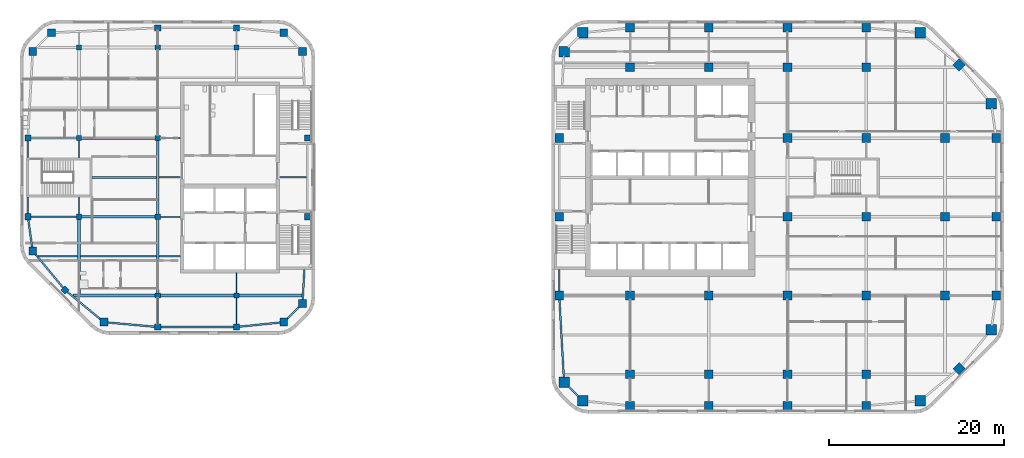
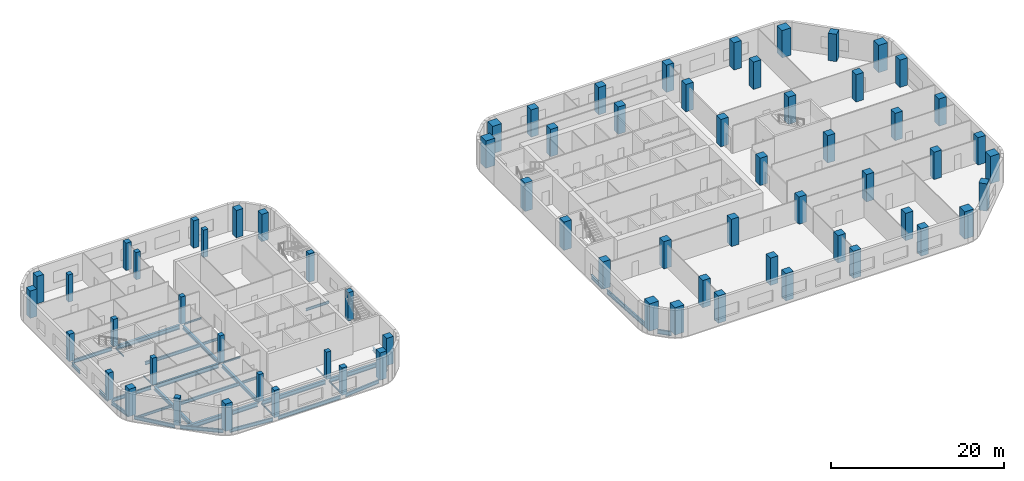
# One storey, part 1 of 14: 69 columns, 36 beams.
"""IFC4 building model written with IfcOpenShell, lengths in metres."""

from ifc_helpers import new_model, si_unit, direction, frame, origin, origin_2d, place, context, subcontext, project, spatial, rectangle, i_section, extrude, material, material_profile, profile_set, type_object, element, save


model = new_model("IFC4")

# Units and contexts
model_context = context("Model", 3, precision=1e-05, world=origin(), true_north=direction((0.0, 1.0)))
body_context = subcontext(model_context, "Body", "Model", "MODEL_VIEW")
ifc_project = project(units=[si_unit("LENGTHUNIT", "METRE"), si_unit("AREAUNIT", "SQUARE_METRE"), si_unit("VOLUMEUNIT", "CUBIC_METRE"), si_unit("PLANEANGLEUNIT", "RADIAN"), si_unit("MASSUNIT", "GRAM", prefix="KILO")], contexts=[model_context])

# Site, building, storey
site_placement = place(None, origin())
site = spatial("IfcSite", under=ifc_project, at=site_placement, CompositionType="ELEMENT")
building_placement = place(site_placement, origin())
building = spatial("IfcBuilding", under=site, at=building_placement, Name="Cinnabar Reach Civic Tower", CompositionType="ELEMENT")
storey_placement = place(building_placement, frame((0.0, 0.0, 116.0)))
storey = spatial("IfcBuildingStorey", under=building, at=storey_placement, Name="L27", CompositionType="ELEMENT", Elevation=116.0)

# Columns
ifc_material_1 = material(Name="Concrete C70", Category="concrete")
ifc_material_profile_1 = material_profile(ifc_material_1, rectangle(XDim=1.0, YDim=1.0, at=origin_2d()), Name="RC1000")
ifc_profile_set_1 = profile_set([ifc_material_profile_1], Name="Concrete C70")
column_type_1 = type_object("IfcColumnType", Name="RC1000 column R 240", PredefinedType="COLUMN", material=ifc_profile_set_1)
for number, where, z_axis, x_axis, name in (
    (1, (9.0, 5.4, 0.0), (0.0, 0.0, 1.0), (1.0, 0.0, 0.0), "Column T1-Z2-F0-1"),
    (2, (18.0, 5.4, 0.0), (0.0, 0.0, 1.0), (1.0, 0.0, 0.0), "Column T1-Z2-F0-2"),
    (3, (27.0, 5.4, 0.0), (0.0, 0.0, 1.0), (1.0, 0.0, 0.0), "Column T1-Z2-F0-3"),
    (4, (36.0, 5.4, 0.0), (0.0, 0.0, 1.0), (1.0, 0.0, 0.0), "Column T1-Z2-F0-4"),
    (5, (46.6136, 9.6364, 0.0), (0.0, 0.0, 1.0), (0.707106781187, 0.707106781187, 0.0), "Column T1-Z2-F1-M"),
    (6, (50.85, 18.0, 0.0), (0.0, 0.0, 1.0), (1.0, 0.0, 0.0), "Column T1-Z2-F2-2"),
    (7, (50.85, 27.0, 0.0), (0.0, 0.0, 1.0), (1.0, 0.0, 0.0), "Column T1-Z2-F2-3"),
    (8, (50.85, 36.0, 0.0), (0.0, 0.0, 1.0), (1.0, 0.0, 0.0), "Column T1-Z2-F2-4"),
    (9, (46.6136, 44.3636, 0.0), (0.0, 0.0, 1.0), (0.707106781187, 0.707106781187, 0.0), "Column T1-Z2-F3-M"),
    (10, (9.0, 48.6, 0.0), (0.0, 0.0, 1.0), (1.0, 0.0, 0.0), "Column T1-Z2-F4-1"),
    (11, (18.0, 48.6, 0.0), (0.0, 0.0, 1.0), (1.0, 0.0, 0.0), "Column T1-Z2-F4-2"),
    (12, (27.0, 48.6, 0.0), (0.0, 0.0, 1.0), (1.0, 0.0, 0.0), "Column T1-Z2-F4-3"),
    (13, (36.0, 48.6, 0.0), (0.0, 0.0, 1.0), (1.0, 0.0, 0.0), "Column T1-Z2-F4-4"),
    (14, (0.9, 18.0, 0.0), (0.0, 0.0, 1.0), (1.0, 0.0, 0.0), "Column T1-Z2-F6-2"),
):
    element("IfcColumn", number, at=place(storey_placement, frame(where, z_axis=z_axis, x_axis=x_axis)), inside=storey, type_object=column_type_1, Name=name, PredefinedType="COLUMN", context=body_context, shape_type="SweptSolid", body=[
        extrude(rectangle(XDim=1.0, YDim=1.0, at=origin_2d()), origin(), (0.0, 0.0, 1.0), 3.85),
    ])
for number, where, z_axis, x_axis, name in (
    (15, (0.9, 27.0, 0.0), (0.0, 0.0, 1.0), (1.0, 0.0, 0.0), "Column T1-Z2-F6-3"),
    (16, (0.9, 36.0, 0.0), (0.0, 0.0, 1.0), (1.0, 0.0, 0.0), "Column T1-Z2-F6-4"),
):
    element("IfcColumn", number, at=place(storey_placement, frame(where, z_axis=z_axis, x_axis=x_axis)), inside=storey, type_object=column_type_1, Name=name, PredefinedType="COLUMN", context=body_context, shape_type="SweptSolid", body=[
        extrude(rectangle(XDim=1.0, YDim=1.0, at=origin_2d()), origin(), (0.0, 0.0, 1.0), 4.0),
    ])
for number, where, z_axis, x_axis, name in (
    (17, (9.0, 9.0, 0.0), (0.0, 0.0, 1.0), (1.0, 0.0, 0.0), "Column T1-Z2-I9_9"),
    (18, (9.0, 18.0, 0.0), (0.0, 0.0, 1.0), (1.0, 0.0, 0.0), "Column T1-Z2-I9_18"),
    (19, (9.0, 44.1, 0.0), (0.0, 0.0, 1.0), (1.0, 0.0, 0.0), "Column T1-Z2-I9_45"),
    (20, (18.0, 9.0, 0.0), (0.0, 0.0, 1.0), (1.0, 0.0, 0.0), "Column T1-Z2-I18_9"),
    (21, (18.0, 18.0, 0.0), (0.0, 0.0, 1.0), (1.0, 0.0, 0.0), "Column T1-Z2-I18_18"),
    (22, (18.0, 44.1, 0.0), (0.0, 0.0, 1.0), (1.0, 0.0, 0.0), "Column T1-Z2-I18_45"),
    (23, (27.0, 9.0, 0.0), (0.0, 0.0, 1.0), (1.0, 0.0, 0.0), "Column T1-Z2-I27_9"),
    (24, (27.0, 18.0, 0.0), (0.0, 0.0, 1.0), (1.0, 0.0, 0.0), "Column T1-Z2-I27_18"),
    (25, (27.0, 27.0, 0.0), (0.0, 0.0, 1.0), (1.0, 0.0, 0.0), "Column T1-Z2-I27_27"),
    (26, (27.0, 36.0, 0.0), (0.0, 0.0, 1.0), (1.0, 0.0, 0.0), "Column T1-Z2-I27_36"),
    (27, (27.0, 44.1, 0.0), (0.0, 0.0, 1.0), (1.0, 0.0, 0.0), "Column T1-Z2-I27_45"),
    (28, (36.0, 9.0, 0.0), (0.0, 0.0, 1.0), (1.0, 0.0, 0.0), "Column T1-Z2-I36_9"),
    (29, (36.0, 18.0, 0.0), (0.0, 0.0, 1.0), (1.0, 0.0, 0.0), "Column T1-Z2-I36_18"),
    (30, (36.0, 27.0, 0.0), (0.0, 0.0, 1.0), (1.0, 0.0, 0.0), "Column T1-Z2-I36_27"),
    (31, (36.0, 36.0, 0.0), (0.0, 0.0, 1.0), (1.0, 0.0, 0.0), "Column T1-Z2-I36_36"),
    (32, (36.0, 44.1, 0.0), (0.0, 0.0, 1.0), (1.0, 0.0, 0.0), "Column T1-Z2-I36_45"),
    (33, (45.0, 18.0, 0.0), (0.0, 0.0, 1.0), (1.0, 0.0, 0.0), "Column T1-Z2-I45_18"),
    (34, (45.0, 27.0, 0.0), (0.0, 0.0, 1.0), (1.0, 0.0, 0.0), "Column T1-Z2-I45_27"),
    (35, (45.0, 36.0, 0.0), (0.0, 0.0, 1.0), (1.0, 0.0, 0.0), "Column T1-Z2-I45_36"),
):
    element("IfcColumn", number, at=place(storey_placement, frame(where, z_axis=z_axis, x_axis=x_axis)), inside=storey, type_object=column_type_1, Name=name, PredefinedType="COLUMN", context=body_context, shape_type="SweptSolid", body=[
        extrude(rectangle(XDim=1.0, YDim=1.0, at=origin_2d()), origin(), (0.0, 0.0, 1.0), 3.85),
    ])
ifc_material_2 = material(Name="Concrete C80", Category="concrete")
ifc_material_profile_2 = material_profile(ifc_material_2, rectangle(XDim=1.2, YDim=1.2, at=origin_2d()), Name="RC1200")
ifc_profile_set_2 = profile_set([ifc_material_profile_2], Name="Concrete C80")
column_type_2 = type_object("IfcColumnType", Name="RC1200 column R 240", PredefinedType="COLUMN", material=ifc_profile_set_2)
for number, where, z_axis, x_axis, name in (
    (36, (3.6019, 5.9531, 0.0), (0.0, 0.0, 1.0), (1.0, 0.0, 0.0), "Column T1-Z2-CC0"),
    (37, (42.1481, 5.9531, 0.0), (0.0, 0.0, 1.0), (1.0, 0.0, 0.0), "Column T1-Z2-CC1"),
    (38, (50.2969, 14.1019, 0.0), (0.0, 0.0, 1.0), (1.0, 0.0, 0.0), "Column T1-Z2-CC2"),
    (39, (50.2969, 39.8981, 0.0), (0.0, 0.0, 1.0), (1.0, 0.0, 0.0), "Column T1-Z2-CC3"),
    (40, (42.1481, 48.0469, 0.0), (0.0, 0.0, 1.0), (1.0, 0.0, 0.0), "Column T1-Z2-CC4"),
    (41, (3.6019, 48.0469, 0.0), (0.0, 0.0, 1.0), (1.0, 0.0, 0.0), "Column T1-Z2-CC5"),
    (42, (1.4531, 45.8981, 0.0), (0.0, 0.0, 1.0), (1.0, 0.0, 0.0), "Column T1-Z2-CC6"),
    (43, (1.4531, 8.1019, 0.0), (0.0, 0.0, 1.0), (1.0, 0.0, 0.0), "Column T1-Z2-CC7"),
):
    element("IfcColumn", number, at=place(storey_placement, frame(where, z_axis=z_axis, x_axis=x_axis)), inside=storey, type_object=column_type_2, Name=name, PredefinedType="COLUMN", context=body_context, shape_type="SweptSolid", body=[
        extrude(rectangle(XDim=1.2, YDim=1.2, at=origin_2d()), origin(), (0.0, 0.0, 1.0), 3.85),
    ])
ifc_material_3 = material(Name="Concrete C60", Category="concrete")
ifc_material_profile_3 = material_profile(ifc_material_3, rectangle(XDim=0.6, YDim=0.6, at=origin_2d()), Name="RC600")
ifc_profile_set_3 = profile_set([ifc_material_profile_3], Name="Concrete C60")
column_type_3 = type_object("IfcColumnType", Name="RC600 column R 180", PredefinedType="COLUMN", material=ifc_profile_set_3)
for number, where, z_axis, x_axis, name in (
    (44, (-54.0, 27.0, 0.0), (0.0, 0.0, 1.0), (1.0, 0.0, 0.0), "Column T2-Z3-I-54_27"),
    (45, (-54.0, 36.0, 0.0), (0.0, 0.0, 1.0), (1.0, 0.0, 0.0), "Column T2-Z3-I-54_36"),
    (46, (-54.0, 46.35, 0.0), (0.0, 0.0, 1.0), (1.0, 0.0, 0.0), "Column T2-Z3-I-54_45"),
    (47, (-45.0, 18.0, 0.0), (0.0, 0.0, 1.0), (1.0, 0.0, 0.0), "Column T2-Z3-I-45_18"),
    (48, (-45.0, 27.0, 0.0), (0.0, 0.0, 1.0), (1.0, 0.0, 0.0), "Column T2-Z3-I-45_27"),
    (49, (-45.0, 36.0, 0.0), (0.0, 0.0, 1.0), (1.0, 0.0, 0.0), "Column T2-Z3-I-45_36"),
    (50, (-45.0, 46.35, 0.0), (0.0, 0.0, 1.0), (1.0, 0.0, 0.0), "Column T2-Z3-I-45_45"),
    (51, (-36.0, 18.0, 0.0), (0.0, 0.0, 1.0), (1.0, 0.0, 0.0), "Column T2-Z3-I-36_18"),
    (52, (-36.0, 46.35, 0.0), (0.0, 0.0, 1.0), (1.0, 0.0, 0.0), "Column T2-Z3-I-36_45"),
):
    element("IfcColumn", number, at=place(storey_placement, frame(where, z_axis=z_axis, x_axis=x_axis)), inside=storey, type_object=column_type_3, Name=name, PredefinedType="COLUMN", context=body_context, shape_type="SweptSolid", body=[
        extrude(rectangle(XDim=0.6, YDim=0.6, at=origin_2d()), origin(), (0.0, 0.0, 1.0), 3.85),
    ])
ifc_material_profile_4 = material_profile(ifc_material_3, rectangle(XDim=0.7, YDim=0.7, at=origin_2d()), Name="RC700")
ifc_profile_set_4 = profile_set([ifc_material_profile_4], Name="Concrete C60")
column_type_4 = type_object("IfcColumnType", Name="RC700 column R 180", PredefinedType="COLUMN", material=ifc_profile_set_4)
for number, where, z_axis, x_axis, name in (
    (53, (-45.0, 14.4, 0.0), (0.0, 0.0, 1.0), (1.0, 0.0, 0.0), "Column T2-Z3-F0--5"),
    (54, (-36.0, 14.4, 0.0), (0.0, 0.0, 1.0), (1.0, 0.0, 0.0), "Column T2-Z3-F0--4"),
):
    element("IfcColumn", number, at=place(storey_placement, frame(where, z_axis=z_axis, x_axis=x_axis)), inside=storey, type_object=column_type_4, Name=name, PredefinedType="COLUMN", context=body_context, shape_type="SweptSolid", body=[
        extrude(rectangle(XDim=0.7, YDim=0.7, at=origin_2d()), origin(), (0.0, 0.0, 1.0), 3.85),
    ])
for number, where, z_axis, x_axis, name in (
    (55, (-27.9, 27.0, 0.0), (0.0, 0.0, 1.0), (1.0, 0.0, 0.0), "Column T2-Z3-F2-3"),
    (56, (-27.9, 36.0, 0.0), (0.0, 0.0, 1.0), (1.0, 0.0, 0.0), "Column T2-Z3-F2-4"),
):
    element("IfcColumn", number, at=place(storey_placement, frame(where, z_axis=z_axis, x_axis=x_axis)), inside=storey, type_object=column_type_4, Name=name, PredefinedType="COLUMN", context=body_context, shape_type="SweptSolid", body=[
        extrude(rectangle(XDim=0.7, YDim=0.7, at=origin_2d()), origin(), (0.0, 0.0, 1.0), 4.0),
    ])
for number, where, z_axis, x_axis, name in (
    (57, (-45.0, 48.6, 0.0), (0.0, 0.0, 1.0), (1.0, 0.0, 0.0), "Column T2-Z3-F4--5"),
    (58, (-36.0, 48.6, 0.0), (0.0, 0.0, 1.0), (1.0, 0.0, 0.0), "Column T2-Z3-F4--4"),
    (59, (-59.85, 27.0, 0.0), (0.0, 0.0, 1.0), (1.0, 0.0, 0.0), "Column T2-Z3-F6-3"),
    (60, (-59.85, 36.0, 0.0), (0.0, 0.0, 1.0), (1.0, 0.0, 0.0), "Column T2-Z3-F6-4"),
    (61, (-55.6136, 18.6364, 0.0), (0.0, 0.0, 1.0), (0.707106781187, 0.707106781187, 0.0), "Column T2-Z3-F7-M"),
):
    element("IfcColumn", number, at=place(storey_placement, frame(where, z_axis=z_axis, x_axis=x_axis)), inside=storey, type_object=column_type_4, Name=name, PredefinedType="COLUMN", context=body_context, shape_type="SweptSolid", body=[
        extrude(rectangle(XDim=0.7, YDim=0.7, at=origin_2d()), origin(), (0.0, 0.0, 1.0), 3.85),
    ])
ifc_material_profile_5 = material_profile(ifc_material_1, rectangle(XDim=0.9, YDim=0.9, at=origin_2d()), Name="RC900")
ifc_profile_set_5 = profile_set([ifc_material_profile_5], Name="Concrete C70")
column_type_5 = type_object("IfcColumnType", Name="RC900 column R 180", PredefinedType="COLUMN", material=ifc_profile_set_5)
for number, where, z_axis, x_axis, name in (
    (62, (-51.1481, 14.9531, 0.0), (0.0, 0.0, 1.0), (1.0, 0.0, 0.0), "Column T2-Z3-CC0"),
    (63, (-30.6019, 14.9531, 0.0), (0.0, 0.0, 1.0), (1.0, 0.0, 0.0), "Column T2-Z3-CC1"),
    (64, (-28.4531, 17.1019, 0.0), (0.0, 0.0, 1.0), (1.0, 0.0, 0.0), "Column T2-Z3-CC2"),
    (65, (-28.4531, 45.8981, 0.0), (0.0, 0.0, 1.0), (1.0, 0.0, 0.0), "Column T2-Z3-CC3"),
    (66, (-30.6019, 48.0469, 0.0), (0.0, 0.0, 1.0), (1.0, 0.0, 0.0), "Column T2-Z3-CC4"),
    (67, (-57.1481, 48.0469, 0.0), (0.0, 0.0, 1.0), (1.0, 0.0, 0.0), "Column T2-Z3-CC5"),
    (68, (-59.2969, 45.8981, 0.0), (0.0, 0.0, 1.0), (1.0, 0.0, 0.0), "Column T2-Z3-CC6"),
    (69, (-59.2969, 23.1019, 0.0), (0.0, 0.0, 1.0), (1.0, 0.0, 0.0), "Column T2-Z3-CC7"),
):
    element("IfcColumn", number, at=place(storey_placement, frame(where, z_axis=z_axis, x_axis=x_axis)), inside=storey, type_object=column_type_5, Name=name, PredefinedType="COLUMN", context=body_context, shape_type="SweptSolid", body=[
        extrude(rectangle(XDim=0.9, YDim=0.9, at=origin_2d()), origin(), (0.0, 0.0, 1.0), 3.85),
    ])

# Beams
ifc_material_4 = material(Name="Steel Q355B", Category="steel")
ifc_material_profile_6 = material_profile(ifc_material_4, i_section(OverallWidth=0.3, OverallDepth=0.488, WebThickness=0.011, FlangeThickness=0.018, FilletRadius=0.016, at=origin_2d()), Name="HM488x300x11x18")
ifc_profile_set_6 = profile_set([ifc_material_profile_6], Name="Steel Q355B")
beam_type_1 = type_object("IfcBeamType", Name="HM488x300x11x18 beam R 120", PredefinedType="BEAM", material=ifc_profile_set_6)
beam_1_placement = place(storey_placement, frame((-54.0, 18.152, -0.394), z_axis=(0.0, 1.0, 0.0), x_axis=(-1.0, 0.0, 0.0)))
element("IfcBeam", 70, at=beam_1_placement, inside=storey, type_object=beam_type_1, Name="Girder T2 L27 1", PredefinedType="BEAM", context=body_context, shape_type="SweptSolid", body=[
    extrude(i_section(OverallWidth=0.3, OverallDepth=0.488, WebThickness=0.011, FlangeThickness=0.018, FilletRadius=0.016, at=origin_2d()), origin(), (0.0, 0.0, 1.0), 8.546),
])
for number, where, z_axis, x_axis, name in (
    (71, (-45.0, 18.302, -0.394), (0.0, 1.0, 0.0), (-1.0, 0.0, 0.0), "Girder T2 L27 7"),
    (72, (-45.0, 27.302, -0.394), (0.0, 1.0, 0.0), (-1.0, 0.0, 0.0), "Girder T2 L27 8"),
):
    element("IfcBeam", number, at=place(storey_placement, frame(where, z_axis=z_axis, x_axis=x_axis)), inside=storey, type_object=beam_type_1, Name=name, PredefinedType="BEAM", context=body_context, shape_type="SweptSolid", body=[
        extrude(i_section(OverallWidth=0.3, OverallDepth=0.488, WebThickness=0.011, FlangeThickness=0.018, FilletRadius=0.016, at=origin_2d()), origin(), (0.0, 0.0, 1.0), 8.396),
    ])
ifc_material_profile_7 = material_profile(ifc_material_4, i_section(OverallWidth=0.3, OverallDepth=0.588, WebThickness=0.012, FlangeThickness=0.02, FilletRadius=0.016, at=origin_2d()), Name="HM588x300x12x20")
ifc_profile_set_7 = profile_set([ifc_material_profile_7], Name="Steel Q355B")
beam_type_2 = type_object("IfcBeamType", Name="HM588x300x12x20 beam R 120", PredefinedType="BEAM", material=ifc_profile_set_7)
beam_2_placement = place(storey_placement, frame((-54.6818, 18.0, -0.444), z_axis=(1.0, 0.0, 0.0), x_axis=(0.0, 1.0, 0.0)))
element("IfcBeam", 73, at=beam_2_placement, inside=storey, type_object=beam_type_2, Name="Girder T2 L27 1", PredefinedType="BEAM", context=body_context, shape_type="SweptSolid", body=[
    extrude(i_section(OverallWidth=0.3, OverallDepth=0.588, WebThickness=0.012, FlangeThickness=0.02, FilletRadius=0.016, at=origin_2d()), origin(), (0.0, 0.0, 1.0), 9.3798),
])
beam_3_placement = place(storey_placement, frame((-44.698, 18.0, -0.444), z_axis=(1.0, 0.0, 0.0), x_axis=(0.0, 1.0, 0.0)))
element("IfcBeam", 74, at=beam_3_placement, inside=storey, type_object=beam_type_2, Name="Girder T2 L27 2", PredefinedType="BEAM", context=body_context, shape_type="SweptSolid", body=[
    extrude(i_section(OverallWidth=0.3, OverallDepth=0.588, WebThickness=0.012, FlangeThickness=0.02, FilletRadius=0.016, at=origin_2d()), origin(), (0.0, 0.0, 1.0), 8.396),
])
beam_4_placement = place(storey_placement, frame((-35.698, 18.0, -0.444), z_axis=(1.0, 0.0, 0.0), x_axis=(0.0, 1.0, 0.0)))
element("IfcBeam", 75, at=beam_4_placement, inside=storey, type_object=beam_type_2, Name="Girder T2 L27 3", PredefinedType="BEAM", context=body_context, shape_type="SweptSolid", body=[
    extrude(i_section(OverallWidth=0.3, OverallDepth=0.588, WebThickness=0.012, FlangeThickness=0.02, FilletRadius=0.016, at=origin_2d()), origin(), (0.0, 0.0, 1.0), 7.1929),
])
for number, where, z_axis, x_axis, name in (
    (76, (-53.698, 27.0, -0.444), (1.0, 0.0, 0.0), (0.0, 1.0, 0.0), "Girder T2 L27 5"),
    (77, (-53.698, 36.0, -0.444), (1.0, 0.0, 0.0), (0.0, 1.0, 0.0), "Girder T2 L27 8"),
):
    element("IfcBeam", number, at=place(storey_placement, frame(where, z_axis=z_axis, x_axis=x_axis)), inside=storey, type_object=beam_type_2, Name=name, PredefinedType="BEAM", context=body_context, shape_type="SweptSolid", body=[
        extrude(i_section(OverallWidth=0.3, OverallDepth=0.588, WebThickness=0.012, FlangeThickness=0.02, FilletRadius=0.016, at=origin_2d()), origin(), (0.0, 0.0, 1.0), 8.396),
    ])
ifc_material_profile_8 = material_profile(ifc_material_4, i_section(OverallWidth=0.099, OverallDepth=0.198, WebThickness=0.0045, FlangeThickness=0.007, FilletRadius=0.013, at=origin_2d()), Name="HN200x100x5.5x8")
ifc_profile_set_8 = profile_set([ifc_material_profile_8], Name="Steel Q355B")
beam_type_3 = type_object("IfcBeamType", Name="HN200x100x5.5x8 beam R 120", PredefinedType="BEAM", material=ifc_profile_set_8)
for number, where, z_axis, x_axis, name in (
    (78, (-54.0, 27.302, -0.249), (0.0, 1.0, 0.0), (-1.0, 0.0, 0.0), "Girder T2 L27 2"),
    (79, (-54.0, 33.752, -0.249), (0.0, 1.0, 0.0), (-1.0, 0.0, 0.0), "Girder T2 L27 3"),
):
    element("IfcBeam", number, at=place(storey_placement, frame(where, z_axis=z_axis, x_axis=x_axis)), inside=storey, type_object=beam_type_3, Name=name, PredefinedType="BEAM", context=body_context, shape_type="SweptSolid", body=[
        extrude(i_section(OverallWidth=0.099, OverallDepth=0.198, WebThickness=0.0045, FlangeThickness=0.007, FilletRadius=0.013, at=origin_2d()), origin(), (0.0, 0.0, 1.0), 1.946),
    ])
for number, where, z_axis, x_axis, name in (
    (80, (-45.0, 14.752, -0.249), (0.0, 1.0, 0.0), (-1.0, 0.0, 0.0), "Girder T2 L27 6"),
    (81, (-36.0, 14.752, -0.249), (0.0, 1.0, 0.0), (-1.0, 0.0, 0.0), "Girder T2 L27 11"),
):
    element("IfcBeam", number, at=place(storey_placement, frame(where, z_axis=z_axis, x_axis=x_axis)), inside=storey, type_object=beam_type_3, Name=name, PredefinedType="BEAM", context=body_context, shape_type="SweptSolid", body=[
        extrude(i_section(OverallWidth=0.099, OverallDepth=0.198, WebThickness=0.0045, FlangeThickness=0.007, FilletRadius=0.013, at=origin_2d()), origin(), (0.0, 0.0, 1.0), 2.946),
    ])
beam_5_placement = place(storey_placement, frame((-36.0, 18.302, -0.249), z_axis=(0.0, 1.0, 0.0), x_axis=(-1.0, 0.0, 0.0)))
element("IfcBeam", 82, at=beam_5_placement, inside=storey, type_object=beam_type_3, Name="Girder T2 L27 12", PredefinedType="BEAM", context=body_context, shape_type="SweptSolid", body=[
    extrude(i_section(OverallWidth=0.099, OverallDepth=0.198, WebThickness=0.0045, FlangeThickness=0.007, FilletRadius=0.013, at=origin_2d()), origin(), (0.0, 0.0, 1.0), 2.296),
])
ifc_material_profile_9 = material_profile(ifc_material_4, i_section(OverallWidth=0.124, OverallDepth=0.248, WebThickness=0.005, FlangeThickness=0.008, FilletRadius=0.013, at=origin_2d()), Name="HN250x125x6x9")
ifc_profile_set_9 = profile_set([ifc_material_profile_9], Name="Steel Q355B")
beam_type_4 = type_object("IfcBeamType", Name="HN250x125x6x9 beam R 120", PredefinedType="BEAM", material=ifc_profile_set_9)
for number, where, z_axis, x_axis, name in (
    (83, (-44.698, 27.0, -0.274), (1.0, 0.0, 0.0), (0.0, 1.0, 0.0), "Girder T2 L27 6"),
    (84, (-44.698, 36.0, -0.274), (1.0, 0.0, 0.0), (0.0, 1.0, 0.0), "Girder T2 L27 9"),
):
    element("IfcBeam", number, at=place(storey_placement, frame(where, z_axis=z_axis, x_axis=x_axis)), inside=storey, type_object=beam_type_4, Name=name, PredefinedType="BEAM", context=body_context, shape_type="SweptSolid", body=[
        extrude(i_section(OverallWidth=0.124, OverallDepth=0.248, WebThickness=0.005, FlangeThickness=0.008, FilletRadius=0.013, at=origin_2d()), origin(), (0.0, 0.0, 1.0), 2.296),
    ])
ifc_material_profile_10 = material_profile(ifc_material_4, i_section(OverallWidth=0.175, OverallDepth=0.35, WebThickness=0.007, FlangeThickness=0.011, FilletRadius=0.013, at=origin_2d()), Name="HN350x175x7x11")
ifc_profile_set_10 = profile_set([ifc_material_profile_10], Name="Steel Q355B")
beam_type_5 = type_object("IfcBeamType", Name="HN350x175x7x11 beam R 120", PredefinedType="BEAM", material=ifc_profile_set_10)
beam_6_placement = place(storey_placement, frame((-58.6682, 22.5, -0.325), z_axis=(1.0, 0.0, 0.0), x_axis=(0.0, 1.0, 0.0)))
element("IfcBeam", 85, at=beam_6_placement, inside=storey, type_object=beam_type_5, Name="Secondary beam T2 L27 1", PredefinedType="BEAM", context=body_context, shape_type="SweptSolid", body=[
    extrude(i_section(OverallWidth=0.175, OverallDepth=0.35, WebThickness=0.007, FlangeThickness=0.011, FilletRadius=0.013, at=origin_2d()), origin(), (0.0, 0.0, 1.0), 4.5162),
])
for number, where, z_axis, x_axis, name in (
    (86, (-44.848, 22.5, -0.325), (1.0, 0.0, 0.0), (0.0, 1.0, 0.0), "Secondary beam T2 L27 3"),
    (87, (-44.848, 31.5, -0.325), (1.0, 0.0, 0.0), (0.0, 1.0, 0.0), "Secondary beam T2 L27 5"),
):
    element("IfcBeam", number, at=place(storey_placement, frame(where, z_axis=z_axis, x_axis=x_axis)), inside=storey, type_object=beam_type_5, Name=name, PredefinedType="BEAM", context=body_context, shape_type="SweptSolid", body=[
        extrude(i_section(OverallWidth=0.175, OverallDepth=0.35, WebThickness=0.007, FlangeThickness=0.011, FilletRadius=0.013, at=origin_2d()), origin(), (0.0, 0.0, 1.0), 2.446),
    ])
beam_7_placement = place(storey_placement, frame((-31.098, 31.5, -0.325), z_axis=(1.0, 0.0, 0.0), x_axis=(0.0, 1.0, 0.0)))
element("IfcBeam", 88, at=beam_7_placement, inside=storey, type_object=beam_type_5, Name="Secondary beam T2 L27 6", PredefinedType="BEAM", context=body_context, shape_type="SweptSolid", body=[
    extrude(i_section(OverallWidth=0.175, OverallDepth=0.35, WebThickness=0.007, FlangeThickness=0.011, FilletRadius=0.013, at=origin_2d()), origin(), (0.0, 0.0, 1.0), 3.096),
])
ifc_material_profile_11 = material_profile(ifc_material_4, i_section(OverallWidth=0.2, OverallDepth=0.45, WebThickness=0.009, FlangeThickness=0.014, FilletRadius=0.016, at=origin_2d()), Name="HN450x200x9x14")
ifc_profile_set_11 = profile_set([ifc_material_profile_11], Name="Steel Q355B")
beam_type_6 = type_object("IfcBeamType", Name="HN450x200x9x14 beam R 120", PredefinedType="BEAM", material=ifc_profile_set_11)
beam_8_placement = place(storey_placement, frame((-53.848, 22.5, -0.375), z_axis=(1.0, 0.0, 0.0), x_axis=(0.0, 1.0, 0.0)))
element("IfcBeam", 89, at=beam_8_placement, inside=storey, type_object=beam_type_6, Name="Secondary beam T2 L27 2", PredefinedType="BEAM", context=body_context, shape_type="SweptSolid", body=[
    extrude(i_section(OverallWidth=0.2, OverallDepth=0.45, WebThickness=0.009, FlangeThickness=0.014, FilletRadius=0.016, at=origin_2d()), origin(), (0.0, 0.0, 1.0), 8.696),
])
beam_9_placement = place(storey_placement, frame((-52.498, 31.5, -0.375), z_axis=(1.0, 0.0, 0.0), x_axis=(0.0, 1.0, 0.0)))
element("IfcBeam", 90, at=beam_9_placement, inside=storey, type_object=beam_type_6, Name="Secondary beam T2 L27 4", PredefinedType="BEAM", context=body_context, shape_type="SweptSolid", body=[
    extrude(i_section(OverallWidth=0.2, OverallDepth=0.45, WebThickness=0.009, FlangeThickness=0.014, FilletRadius=0.016, at=origin_2d()), origin(), (0.0, 0.0, 1.0), 7.346),
])
ifc_material_profile_12 = material_profile(ifc_material_4, i_section(OverallWidth=0.2, OverallDepth=0.5, WebThickness=0.01, FlangeThickness=0.016, FilletRadius=0.016, at=origin_2d()), Name="HN500x200x10x16")
ifc_profile_set_12 = profile_set([ifc_material_profile_12], Name="Steel Q355B")
beam_type_7 = type_object("IfcBeamType", Name="HN500x200x10x16 beam R 120", PredefinedType="BEAM", material=ifc_profile_set_12)
beam_10_placement = place(storey_placement, frame((-50.8161, 14.9232, -0.4), z_axis=(0.99597881512, -0.089589060894, 0.0), x_axis=(0.089589060894, 0.99597881512, 0.0)))
element("IfcBeam", 91, at=beam_10_placement, inside=storey, type_object=beam_type_7, Name="Edge beam T2 L27 1", PredefinedType="BEAM", context=body_context, shape_type="SweptSolid", body=[
    extrude(i_section(OverallWidth=0.2, OverallDepth=0.5, WebThickness=0.01, FlangeThickness=0.016, FilletRadius=0.016, at=origin_2d()), origin(), (0.0, 0.0, 1.0), 5.4862),
])
beam_11_placement = place(storey_placement, frame((-44.648, 14.4, -0.4), z_axis=(1.0, 0.0, 0.0), x_axis=(0.0, 1.0, 0.0)))
element("IfcBeam", 92, at=beam_11_placement, inside=storey, type_object=beam_type_7, Name="Edge beam T2 L27 2", PredefinedType="BEAM", context=body_context, shape_type="SweptSolid", body=[
    extrude(i_section(OverallWidth=0.2, OverallDepth=0.5, WebThickness=0.01, FlangeThickness=0.016, FilletRadius=0.016, at=origin_2d()), origin(), (0.0, 0.0, 1.0), 8.296),
])
beam_12_placement = place(storey_placement, frame((-35.648, 14.4361, -0.4), z_axis=(0.994792087401, 0.101924986363, 0.0), x_axis=(-0.101924986363, 0.994792087401, 0.0)))
element("IfcBeam", 93, at=beam_12_placement, inside=storey, type_object=beam_type_7, Name="Edge beam T2 L27 3", PredefinedType="BEAM", context=body_context, shape_type="SweptSolid", body=[
    extrude(i_section(OverallWidth=0.2, OverallDepth=0.5, WebThickness=0.01, FlangeThickness=0.016, FilletRadius=0.016, at=origin_2d()), origin(), (0.0, 0.0, 1.0), 4.7388),
])
beam_13_placement = place(storey_placement, frame((-30.2699, 15.2851, -0.4), z_axis=(0.707106781187, 0.707106781187, 0.0), x_axis=(-0.707106781187, 0.707106781187, 0.0)))
element("IfcBeam", 94, at=beam_13_placement, inside=storey, type_object=beam_type_7, Name="Edge beam T2 L27 4", PredefinedType="BEAM", context=body_context, shape_type="SweptSolid", body=[
    extrude(i_section(OverallWidth=0.2, OverallDepth=0.5, WebThickness=0.01, FlangeThickness=0.016, FilletRadius=0.016, at=origin_2d()), origin(), (0.0, 0.0, 1.0), 2.0998),
])
beam_14_placement = place(storey_placement, frame((-28.4345, 17.4339, -0.4), z_axis=(0.055775670196, 0.99844332569, 0.0), x_axis=(-0.99844332569, 0.055775670196, 0.0)))
element("IfcBeam", 95, at=beam_14_placement, inside=storey, type_object=beam_type_7, Name="Edge beam T2 L27 5", PredefinedType="BEAM", context=body_context, shape_type="SweptSolid", body=[
    extrude(i_section(OverallWidth=0.2, OverallDepth=0.5, WebThickness=0.01, FlangeThickness=0.016, FilletRadius=0.016, at=origin_2d()), origin(), (0.0, 0.0, 1.0), 3.5697),
])
for number, where, z_axis, x_axis, name in (
    (96, (-59.85, 35.648, -0.4), (0.0, -1.0, 0.0), (1.0, 0.0, 0.0), "Edge beam T2 L27 14"),
    (97, (-59.85, 29.248, -0.4), (0.0, -1.0, 0.0), (1.0, 0.0, 0.0), "Edge beam T2 L27 15"),
):
    element("IfcBeam", number, at=place(storey_placement, frame(where, z_axis=z_axis, x_axis=x_axis)), inside=storey, type_object=beam_type_7, Name=name, PredefinedType="BEAM", context=body_context, shape_type="SweptSolid", body=[
        extrude(i_section(OverallWidth=0.2, OverallDepth=0.5, WebThickness=0.01, FlangeThickness=0.016, FilletRadius=0.016, at=origin_2d()), origin(), (0.0, 0.0, 1.0), 1.896),
    ])
beam_15_placement = place(storey_placement, frame((-59.8001, 26.648, -0.4), z_axis=(0.140498398047, -0.990080905859, 0.0), x_axis=(0.990080905859, 0.140498398047, 0.0)))
element("IfcBeam", 98, at=beam_15_placement, inside=storey, type_object=beam_type_7, Name="Edge beam T2 L27 16", PredefinedType="BEAM", context=body_context, shape_type="SweptSolid", body=[
    extrude(i_section(OverallWidth=0.2, OverallDepth=0.5, WebThickness=0.01, FlangeThickness=0.016, FilletRadius=0.016, at=origin_2d()), origin(), (0.0, 0.0, 1.0), 3.2463),
])
for number, where, z_axis, x_axis, name in (
    (99, (-59.0231, 22.7699, -0.4), (0.636307764727, -0.771435304189, 0.0), (0.771435304189, 0.636307764727, 0.0), "Edge beam T2 L27 17"),
    (100, (-55.3873, 18.4497, -0.4), (0.771435304189, -0.636307764727, 0.0), (0.636307764727, 0.771435304189, 0.0), "Edge beam T2 L27 18"),
):
    element("IfcBeam", number, at=place(storey_placement, frame(where, z_axis=z_axis, x_axis=x_axis)), inside=storey, type_object=beam_type_7, Name=name, PredefinedType="BEAM", context=body_context, shape_type="SweptSolid", body=[
        extrude(i_section(OverallWidth=0.2, OverallDepth=0.5, WebThickness=0.01, FlangeThickness=0.016, FilletRadius=0.016, at=origin_2d()), origin(), (0.0, 0.0, 1.0), 5.0648),
    ])
for number, where, z_axis, x_axis, name in (
    (101, (-59.498, 27.0, -0.4), (1.0, 0.0, 0.0), (0.0, 1.0, 0.0), "Girder T2 L27 4"),
    (102, (-59.498, 36.0, -0.4), (1.0, 0.0, 0.0), (0.0, 1.0, 0.0), "Girder T2 L27 7"),
):
    element("IfcBeam", number, at=place(storey_placement, frame(where, z_axis=z_axis, x_axis=x_axis)), inside=storey, type_object=beam_type_7, Name=name, PredefinedType="BEAM", context=body_context, shape_type="SweptSolid", body=[
        extrude(i_section(OverallWidth=0.2, OverallDepth=0.5, WebThickness=0.01, FlangeThickness=0.016, FilletRadius=0.016, at=origin_2d()), origin(), (0.0, 0.0, 1.0), 5.196),
    ])
ifc_material_profile_13 = material_profile(ifc_material_4, i_section(OverallWidth=0.2, OverallDepth=0.6, WebThickness=0.011, FlangeThickness=0.017, FilletRadius=0.016, at=origin_2d()), Name="HN600x200x11x17")
ifc_profile_set_13 = profile_set([ifc_material_profile_13], Name="Steel Q355B")
beam_type_8 = type_object("IfcBeamType", Name="HN600x200x11x17 beam R 180", PredefinedType="BEAM", material=ifc_profile_set_13)
beam_16_placement = place(storey_placement, frame((0.9, 20.998, -0.45), z_axis=(0.0, -1.0, 0.0), x_axis=(1.0, 0.0, 0.0)))
element("IfcBeam", 103, at=beam_16_placement, inside=storey, type_object=beam_type_8, Name="Edge beam T1 L27 22", PredefinedType="BEAM", context=body_context, shape_type="SweptSolid", body=[
    extrude(i_section(OverallWidth=0.2, OverallDepth=0.6, WebThickness=0.011, FlangeThickness=0.017, FilletRadius=0.016, at=origin_2d()), origin(), (0.0, 0.0, 1.0), 2.496),
])
beam_17_placement = place(storey_placement, frame((0.9281, 17.498, -0.45), z_axis=(0.055790736166, -0.998442483951, 0.0), x_axis=(0.998442483951, 0.055790736166, 0.0)))
element("IfcBeam", 104, at=beam_17_placement, inside=storey, type_object=beam_type_8, Name="Edge beam T1 L27 23", PredefinedType="BEAM", context=body_context, shape_type="SweptSolid", body=[
    extrude(i_section(OverallWidth=0.2, OverallDepth=0.6, WebThickness=0.011, FlangeThickness=0.017, FilletRadius=0.016, at=origin_2d()), origin(), (0.0, 0.0, 1.0), 8.928),
])
beam_18_placement = place(storey_placement, frame((1.9351, 7.6199, -0.45), z_axis=(0.707106781187, -0.707106781187, 0.0), x_axis=(0.707106781187, 0.707106781187, 0.0)))
element("IfcBeam", 105, at=beam_18_placement, inside=storey, type_object=beam_type_8, Name="Edge beam T1 L27 24", PredefinedType="BEAM", context=body_context, shape_type="SweptSolid", body=[
    extrude(i_section(OverallWidth=0.2, OverallDepth=0.6, WebThickness=0.011, FlangeThickness=0.017, FilletRadius=0.016, at=origin_2d()), origin(), (0.0, 0.0, 1.0), 1.6756),
])

save(model, "model.ifc")
